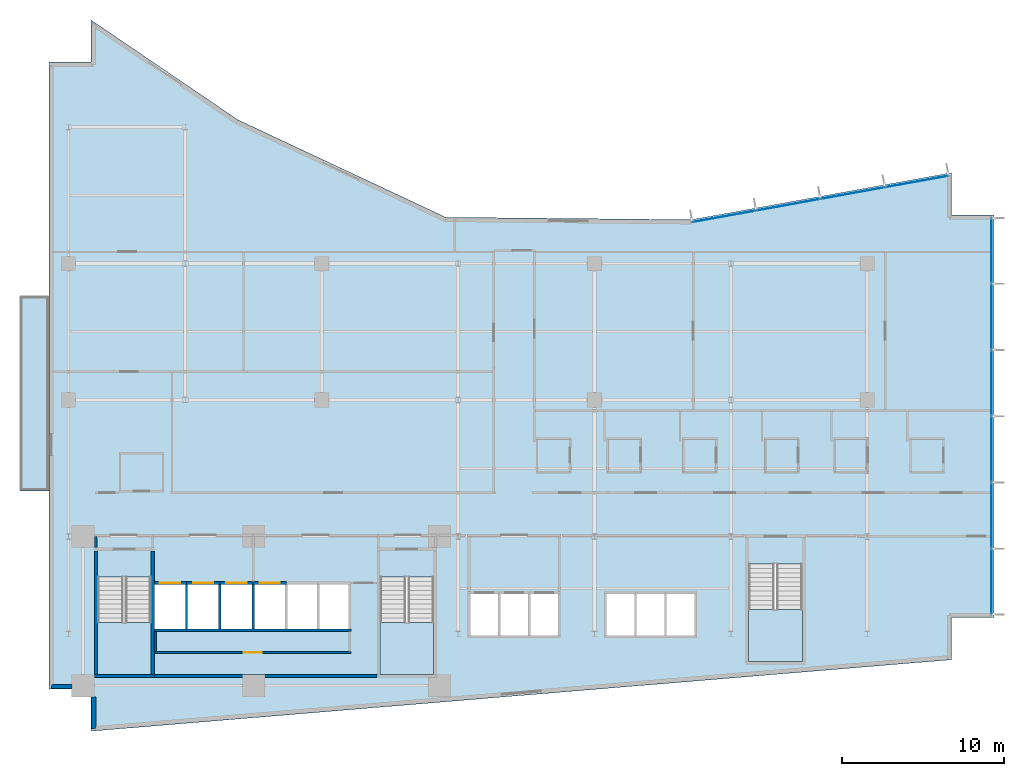
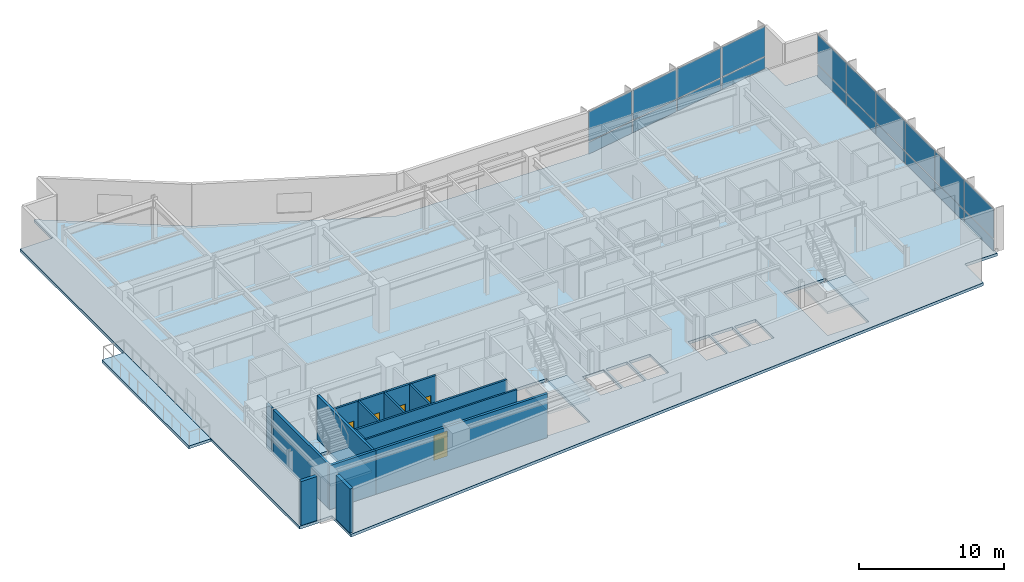
# One storey, part 11 of 19: 20 plates, 17 walls, 5 doors, 5 slabs, 5 openings, 5 elements without a shape of their own.
"""IFC4 building model written with IfcOpenShell, lengths in metres."""

from ifc_helpers import new_model, si_unit, direction, frame, frame_2d, origin, origin_2d, place, context, subcontext, project, spatial, polyline, rectangle, outline, extrude, material, layer, layer_set, type_object, element, fill, aggregate, save


model = new_model("IFC4")

# Units and contexts
model_context = context("Model", 3, precision=1e-05, world=origin(), true_north=direction((0.0, 1.0)))
body_context = subcontext(model_context, "Body", "Model", "MODEL_VIEW")
ifc_project = project(units=[si_unit("LENGTHUNIT", "METRE"), si_unit("AREAUNIT", "SQUARE_METRE"), si_unit("VOLUMEUNIT", "CUBIC_METRE"), si_unit("PLANEANGLEUNIT", "RADIAN"), si_unit("MASSUNIT", "GRAM", prefix="KILO")], contexts=[model_context])

# Site, building, storey
site_placement = place(None, origin())
site = spatial("IfcSite", under=ifc_project, at=site_placement, CompositionType="ELEMENT")
building_placement = place(site_placement, origin())
building = spatial("IfcBuilding", under=site, at=building_placement, Name="Varnakote Quay Hospital", CompositionType="ELEMENT")
storey_placement = place(building_placement, frame((0.0, 0.0, 85.699951171875)))
storey = spatial("IfcBuildingStorey", under=building, at=storey_placement, Name="L21", CompositionType="ELEMENT", Elevation=85.699951171875)

# Curtain wall, plates
ifc_material_1 = material(Name="Anodised aluminium 6063-T6 Bronze", Category="aluminium")
ifc_layer_1 = layer(ifc_material_1, 0.18994140625)
ifc_layer_set_1 = layer_set([ifc_layer_1], Name="Anodised aluminium 6063-T6 Bronze")
curtain_wall_type = type_object("IfcCurtainWallType", Name="CW-SYS-2", PredefinedType="NOTDEFINED", material=ifc_layer_set_1)
curtain_wall_1_placement = place(storey_placement, origin())
curtain_wall_1 = element("IfcCurtainWall", 1, at=curtain_wall_1_placement, inside=storey, type_object=curtain_wall_type, Name="L21 Unitised Bronze Curtain Wall 1", PredefinedType="NOTDEFINED")
ifc_material_2 = material(Name="Double-glazed acoustic laminated glass", Category="glass")
ifc_layer_2 = layer(ifc_material_2, 0.031982421875)
ifc_layer_set_2 = layer_set([ifc_layer_2], Name="Double-glazed acoustic laminated glass")
plate_type = type_object("IfcPlateType", Name="CW-PNL-GLZ-32", PredefinedType="CURTAIN_PANEL", material=ifc_layer_set_2)
plate_1_placement = place(storey_placement, frame((58.0400390625, 9.21875, 0.0751953125), z_axis=(0.0, 0.0, 1.0), x_axis=(0.0, 1.0, 0.0)))
plate_1 = element("IfcPlate", 2, at=plate_1_placement, type_object=plate_type, Name="-2-L21-1 panel 1.1", PredefinedType="CURTAIN_PANEL", context=body_context, shape_type="SweptSolid", body=[
    extrude(rectangle(XDim=3.967529296875, YDim=0.031982421875, at=origin_2d()), origin(), (0.0, 0.0, 1.0), 0.987548828125),
])
plate_2_placement = place(storey_placement, frame((58.0400390625, 9.21875, 1.137451171875), z_axis=(0.0, 0.0, 1.0), x_axis=(0.0, 1.0, 0.0)))
plate_2 = element("IfcPlate", 3, at=plate_2_placement, type_object=plate_type, Name="-2-L21-1 panel 1.2", PredefinedType="CURTAIN_PANEL", context=body_context, shape_type="SweptSolid", body=[
    extrude(rectangle(XDim=3.967529296875, YDim=0.031982421875, at=origin_2d()), origin(), (0.0, 0.0, 1.0), 2.49755859375),
])
plate_3_placement = place(storey_placement, frame((58.0400390625, 13.280029296875, 0.0751953125), z_axis=(0.0, 0.0, 1.0), x_axis=(0.0, 1.0, 0.0)))
plate_3 = element("IfcPlate", 4, at=plate_3_placement, type_object=plate_type, Name="-2-L21-1 panel 2.1", PredefinedType="CURTAIN_PANEL", context=body_context, shape_type="SweptSolid", body=[
    extrude(rectangle(XDim=4.0048828125, YDim=0.031982421875, at=origin_2d()), origin(), (0.0, 0.0, 1.0), 0.987548828125),
])
plate_4_placement = place(storey_placement, frame((58.0400390625, 13.280029296875, 1.137451171875), z_axis=(0.0, 0.0, 1.0), x_axis=(0.0, 1.0, 0.0)))
plate_4 = element("IfcPlate", 5, at=plate_4_placement, type_object=plate_type, Name="-2-L21-1 panel 2.2", PredefinedType="CURTAIN_PANEL", context=body_context, shape_type="SweptSolid", body=[
    extrude(rectangle(XDim=4.0048828125, YDim=0.031982421875, at=origin_2d()), origin(), (0.0, 0.0, 1.0), 2.49755859375),
])
plate_5_placement = place(storey_placement, frame((58.0400390625, 17.360107421875, 0.0751953125), z_axis=(0.0, 0.0, 1.0), x_axis=(0.0, 1.0, 0.0)))
plate_5 = element("IfcPlate", 6, at=plate_5_placement, type_object=plate_type, Name="-2-L21-1 panel 3.1", PredefinedType="CURTAIN_PANEL", context=body_context, shape_type="SweptSolid", body=[
    extrude(rectangle(XDim=4.0048828125, YDim=0.031982421875, at=origin_2d()), origin(), (0.0, 0.0, 1.0), 0.987548828125),
])
plate_6_placement = place(storey_placement, frame((58.0400390625, 17.360107421875, 1.137451171875), z_axis=(0.0, 0.0, 1.0), x_axis=(0.0, 1.0, 0.0)))
plate_6 = element("IfcPlate", 7, at=plate_6_placement, type_object=plate_type, Name="-2-L21-1 panel 3.2", PredefinedType="CURTAIN_PANEL", context=body_context, shape_type="SweptSolid", body=[
    extrude(rectangle(XDim=4.0048828125, YDim=0.031982421875, at=origin_2d()), origin(), (0.0, 0.0, 1.0), 2.49755859375),
])
plate_7_placement = place(storey_placement, frame((58.0400390625, 21.43994140625, 0.0751953125), z_axis=(0.0, 0.0, 1.0), x_axis=(0.0, 1.0, 0.0)))
plate_7 = element("IfcPlate", 8, at=plate_7_placement, type_object=plate_type, Name="-2-L21-1 panel 4.1", PredefinedType="CURTAIN_PANEL", context=body_context, shape_type="SweptSolid", body=[
    extrude(rectangle(XDim=4.0048828125, YDim=0.031982421875, at=origin_2d()), origin(), (0.0, 0.0, 1.0), 0.987548828125),
])
plate_8_placement = place(storey_placement, frame((58.0400390625, 21.43994140625, 1.137451171875), z_axis=(0.0, 0.0, 1.0), x_axis=(0.0, 1.0, 0.0)))
plate_8 = element("IfcPlate", 9, at=plate_8_placement, type_object=plate_type, Name="-2-L21-1 panel 4.2", PredefinedType="CURTAIN_PANEL", context=body_context, shape_type="SweptSolid", body=[
    extrude(rectangle(XDim=4.0048828125, YDim=0.031982421875, at=origin_2d()), origin(), (0.0, 0.0, 1.0), 2.49755859375),
])
plate_9_placement = place(storey_placement, frame((58.0400390625, 25.52001953125, 0.0751953125), z_axis=(0.0, 0.0, 1.0), x_axis=(0.0, 1.0, 0.0)))
plate_9 = element("IfcPlate", 10, at=plate_9_placement, type_object=plate_type, Name="-2-L21-1 panel 5.1", PredefinedType="CURTAIN_PANEL", context=body_context, shape_type="SweptSolid", body=[
    extrude(rectangle(XDim=4.0048828125, YDim=0.031982421875, at=origin_2d()), origin(), (0.0, 0.0, 1.0), 0.987548828125),
])
plate_10_placement = place(storey_placement, frame((58.0400390625, 25.52001953125, 1.137451171875), z_axis=(0.0, 0.0, 1.0), x_axis=(0.0, 1.0, 0.0)))
plate_10 = element("IfcPlate", 11, at=plate_10_placement, type_object=plate_type, Name="-2-L21-1 panel 5.2", PredefinedType="CURTAIN_PANEL", context=body_context, shape_type="SweptSolid", body=[
    extrude(rectangle(XDim=4.0048828125, YDim=0.031982421875, at=origin_2d()), origin(), (0.0, 0.0, 1.0), 2.49755859375),
])
plate_11_placement = place(storey_placement, frame((58.0400390625, 29.581298828125, 0.0751953125), z_axis=(0.0, 0.0, 1.0), x_axis=(0.0, 1.0, 0.0)))
plate_11 = element("IfcPlate", 12, at=plate_11_placement, type_object=plate_type, Name="-2-L21-1 panel 6.1", PredefinedType="CURTAIN_PANEL", context=body_context, shape_type="SweptSolid", body=[
    extrude(rectangle(XDim=3.967529296875, YDim=0.031982421875, at=origin_2d()), origin(), (0.0, 0.0, 1.0), 0.987548828125),
])
plate_12_placement = place(storey_placement, frame((58.0400390625, 29.581298828125, 1.137451171875), z_axis=(0.0, 0.0, 1.0), x_axis=(0.0, 1.0, 0.0)))
plate_12 = element("IfcPlate", 13, at=plate_12_placement, type_object=plate_type, Name="-2-L21-1 panel 6.2", PredefinedType="CURTAIN_PANEL", context=body_context, shape_type="SweptSolid", body=[
    extrude(rectangle(XDim=3.967529296875, YDim=0.031982421875, at=origin_2d()), origin(), (0.0, 0.0, 1.0), 2.49755859375),
])
aggregate(curtain_wall_1, [plate_1, plate_2, plate_3, plate_4, plate_5, plate_6, plate_7, plate_8, plate_9, plate_10, plate_11, plate_12])

curtain_wall_2_placement = place(storey_placement, origin())
curtain_wall_2 = element("IfcCurtainWall", 14, at=curtain_wall_2_placement, inside=storey, type_object=curtain_wall_type, Name="L21 Unitised Bronze Curtain Wall 2", PredefinedType="NOTDEFINED")
plate_13_placement = place(storey_placement, frame((53.440185546875, 33.84716796875, 0.0751953125), z_axis=(0.0, 0.0, 1.0), x_axis=(-0.984058295766, -0.177846199098, 0.0)))
plate_13 = element("IfcPlate", 15, at=plate_13_placement, type_object=plate_type, Name="-2-L21-2 panel 1.1", PredefinedType="CURTAIN_PANEL", context=body_context, shape_type="SweptSolid", body=[
    extrude(rectangle(XDim=3.914306640625, YDim=0.031982421875, at=origin_2d()), origin(), (0.0, 0.0, 1.0), 0.987548828125),
])
plate_14_placement = place(storey_placement, frame((53.440185546875, 33.84716796875, 1.137451171875), z_axis=(0.0, 0.0, 1.0), x_axis=(-0.984058295766, -0.177846199098, 0.0)))
plate_14 = element("IfcPlate", 16, at=plate_14_placement, type_object=plate_type, Name="-2-L21-2 panel 1.2", PredefinedType="CURTAIN_PANEL", context=body_context, shape_type="SweptSolid", body=[
    extrude(rectangle(XDim=3.914306640625, YDim=0.031982421875, at=origin_2d()), origin(), (0.0, 0.0, 1.0), 2.49755859375),
])
plate_15_placement = place(storey_placement, frame((49.49609375, 33.13427734375, 0.0751953125), z_axis=(0.0, 0.0, 1.0), x_axis=(-0.984058295766, -0.177846199098, 0.0)))
plate_15 = element("IfcPlate", 17, at=plate_15_placement, type_object=plate_type, Name="-2-L21-2 panel 2.1", PredefinedType="CURTAIN_PANEL", context=body_context, shape_type="SweptSolid", body=[
    extrude(rectangle(XDim=3.951904296875, YDim=0.031982421875, at=origin_2d()), origin(), (0.0, 0.0, 1.0), 0.987548828125),
])
plate_16_placement = place(storey_placement, frame((49.49609375, 33.13427734375, 1.137451171875), z_axis=(0.0, 0.0, 1.0), x_axis=(-0.984058295766, -0.177846199098, 0.0)))
plate_16 = element("IfcPlate", 18, at=plate_16_placement, type_object=plate_type, Name="-2-L21-2 panel 2.2", PredefinedType="CURTAIN_PANEL", context=body_context, shape_type="SweptSolid", body=[
    extrude(rectangle(XDim=3.951904296875, YDim=0.031982421875, at=origin_2d()), origin(), (0.0, 0.0, 1.0), 2.49755859375),
])
plate_17_placement = place(storey_placement, frame((45.533447265625, 32.418212890625, 0.0751953125), z_axis=(0.0, 0.0, 1.0), x_axis=(-0.984058295766, -0.177846199098, 0.0)))
plate_17 = element("IfcPlate", 19, at=plate_17_placement, type_object=plate_type, Name="-2-L21-2 panel 3.1", PredefinedType="CURTAIN_PANEL", context=body_context, shape_type="SweptSolid", body=[
    extrude(rectangle(XDim=3.951904296875, YDim=0.031982421875, at=origin_2d()), origin(), (0.0, 0.0, 1.0), 0.987548828125),
])
plate_18_placement = place(storey_placement, frame((45.533447265625, 32.418212890625, 1.137451171875), z_axis=(0.0, 0.0, 1.0), x_axis=(-0.984058295766, -0.177846199098, 0.0)))
plate_18 = element("IfcPlate", 20, at=plate_18_placement, type_object=plate_type, Name="-2-L21-2 panel 3.2", PredefinedType="CURTAIN_PANEL", context=body_context, shape_type="SweptSolid", body=[
    extrude(rectangle(XDim=3.951904296875, YDim=0.031982421875, at=origin_2d()), origin(), (0.0, 0.0, 1.0), 2.49755859375),
])
plate_19_placement = place(storey_placement, frame((41.58935546875, 31.705322265625, 0.0751953125), z_axis=(0.0, 0.0, 1.0), x_axis=(-0.984058295766, -0.177846199098, 0.0)))
plate_19 = element("IfcPlate", 21, at=plate_19_placement, type_object=plate_type, Name="-2-L21-2 panel 4.1", PredefinedType="CURTAIN_PANEL", context=body_context, shape_type="SweptSolid", body=[
    extrude(rectangle(XDim=3.914306640625, YDim=0.031982421875, at=origin_2d()), origin(), (0.0, 0.0, 1.0), 0.987548828125),
])
plate_20_placement = place(storey_placement, frame((41.58935546875, 31.705322265625, 1.137451171875), z_axis=(0.0, 0.0, 1.0), x_axis=(-0.984058295766, -0.177846199098, 0.0)))
plate_20 = element("IfcPlate", 22, at=plate_20_placement, type_object=plate_type, Name="-2-L21-2 panel 4.2", PredefinedType="CURTAIN_PANEL", context=body_context, shape_type="SweptSolid", body=[
    extrude(rectangle(XDim=3.914306640625, YDim=0.031982421875, at=origin_2d()), origin(), (0.0, 0.0, 1.0), 2.49755859375),
])
aggregate(curtain_wall_2, [plate_13, plate_14, plate_15, plate_16, plate_17, plate_18, plate_19, plate_20])

# Stair, slab
ifc_material_3 = material(Name="Concrete N40 (f'c 40 MPa)", Category="concrete")
stair_type = type_object("IfcStairType", Name="STR-CORE-1580", PredefinedType="HALF_TURN_STAIR", material=ifc_material_3)
stair_1_placement = place(storey_placement, origin())
stair_1 = element("IfcStair", 23, at=stair_1_placement, inside=storey, type_object=stair_type, Name="L21 Fire-Isolated Exit Stair ST-01", PredefinedType="HALF_TURN_STAIR")
ifc_material_4 = material(Name="Concrete N40 (f'c 40 MPa)", Category="concrete")
ifc_layer_3 = layer(ifc_material_4, 0.199951171875)
ifc_layer_set_3 = layer_set([ifc_layer_3], Name="Concrete N40 (f'c 40 MPa)")
slab_type_1 = type_object("IfcSlabType", Name="SLB-STAIR-LND-200", PredefinedType="LANDING", material=ifc_layer_set_3)
slab_1_placement = place(storey_placement, frame((0.0, 0.0, 1.775146484375)))
slab_1 = element("IfcSlab", 24, at=slab_1_placement, type_object=slab_type_1, Name="ST-01 landing 1", PredefinedType="LANDING", context=body_context, shape_type="SweptSolid", body=[
    extrude(outline(polyline([(3.0, 6.699951171875), (3.0, 3.5), (6.300048828125, 3.5), (6.300048828125, 6.699951171875), (3.0, 6.699951171875)])), origin(), (0.0, 0.0, 1.0), 0.199951171875),
])
aggregate(stair_1, [slab_1])

stair_2_placement = place(storey_placement, origin())
stair_2 = element("IfcStair", 25, at=stair_2_placement, inside=storey, type_object=stair_type, Name="L21 Fire-Isolated Exit Stair ST-02", PredefinedType="HALF_TURN_STAIR")
slab_2_placement = place(storey_placement, frame((0.0, 0.0, 1.775146484375)))
slab_2 = element("IfcSlab", 26, at=slab_2_placement, type_object=slab_type_1, Name="ST-02 landing 1", PredefinedType="LANDING", context=body_context, shape_type="SweptSolid", body=[
    extrude(outline(polyline([(20.39990234375, 6.699951171875), (20.39990234375, 3.5), (23.699951171875, 3.5), (23.699951171875, 6.699951171875), (20.39990234375, 6.699951171875)])), origin(), (0.0, 0.0, 1.0), 0.199951171875),
])
aggregate(stair_2, [slab_2])

stair_3_placement = place(storey_placement, origin())
stair_3 = element("IfcStair", 27, at=stair_3_placement, inside=storey, type_object=stair_type, Name="L21 Fire-Isolated Exit Stair ST-03", PredefinedType="HALF_TURN_STAIR")
slab_3_placement = place(storey_placement, frame((0.0, 0.0, 1.775146484375)))
slab_3 = element("IfcSlab", 28, at=slab_3_placement, type_object=slab_type_1, Name="ST-03 landing 1", PredefinedType="LANDING", context=body_context, shape_type="SweptSolid", body=[
    extrude(outline(polyline([(43.10009765625, 7.5), (43.10009765625, 4.300048828125), (46.39990234375, 4.300048828125), (46.39990234375, 7.5), (43.10009765625, 7.5)])), origin(), (0.0, 0.0, 1.0), 0.199951171875),
])
aggregate(stair_3, [slab_3])

# Slabs
ifc_material_5 = material(Name="Concrete N50 (f'c 50 MPa)", Category="concrete")
ifc_layer_4 = layer(ifc_material_5, 0.239990234375)
ifc_layer_set_4 = layer_set([ifc_layer_4], Name="Concrete N50 (f'c 50 MPa)")
slab_type_2 = type_object("IfcSlabType", Name="SLB-TERR-200", PredefinedType="FLOOR", material=ifc_layer_set_4)
slab_4_placement = place(storey_placement, frame((0.0, 0.0, -0.239990234375)))
element("IfcSlab", 29, at=slab_4_placement, inside=storey, type_object=slab_type_2, Name="L21 Waterfront Healing Terrace Slab", PredefinedType="FLOOR", context=body_context, shape_type="SweptSolid", body=[
    extrude(outline(polyline([(0.00390625, 14.800048828125), (0.00390625, 26.800048828125), (-1.780029296875, 26.800048828125), (-1.780029296875, 14.800048828125), (0.00390625, 14.800048828125)])), origin(), (0.0, 0.0, 1.0), 0.239990234375),
])
ifc_material_6 = material(Name="Concrete N50 (f'c 50 MPa)", Category="concrete")
ifc_layer_5 = layer(ifc_material_6, 0.239990234375)
ifc_layer_set_5 = layer_set([ifc_layer_5], Name="Concrete N50 (f'c 50 MPa)")
slab_type_3 = type_object("IfcSlabType", Name="SLB-WARD-200", PredefinedType="FLOOR", material=ifc_layer_set_5)
slab_5_placement = place(storey_placement, frame((0.0, 0.0, -0.239990234375)))
element("IfcSlab", 30, at=slab_5_placement, inside=storey, type_object=slab_type_3, Name="L21 Primary Floor Slab", PredefinedType="FLOOR", context=body_context, shape_type="SweptSolid", body=[
    extrude(outline(polyline([(0.0, 2.60009765625), (2.60009765625, 2.60009765625), (2.60009765625, 0.0), (55.60009765625, 4.39990234375), (55.60009765625, 7.0), (58.199951171875, 7.0), (58.199951171875, 31.800048828125), (55.60009765625, 31.800048828125), (55.60009765625, 34.39990234375), (39.575927734375, 31.50390625), (24.444091796875, 31.652099609375), (11.639892578125, 37.656005859375), (2.60009765625, 43.800048828125), (2.60009765625, 41.199951171875), (0.0, 41.199951171875), (0.0, 2.60009765625)]), holes=[polyline([(3.0, 3.5), (6.300048828125, 3.5), (6.300048828125, 9.49951171875), (3.0, 9.49951171875), (3.0, 3.5)]), polyline([(20.39990234375, 3.5), (23.699951171875, 3.5), (23.699951171875, 9.49951171875), (20.39990234375, 9.49951171875), (20.39990234375, 3.5)]), polyline([(43.10009765625, 4.300048828125), (46.39990234375, 4.300048828125), (46.39990234375, 10.29931640625), (43.10009765625, 10.29931640625), (43.10009765625, 4.300048828125)]), polyline([(6.5, 6.300048828125), (8.39990234375, 6.300048828125), (8.39990234375, 9.050048828125), (6.5, 9.050048828125), (6.5, 6.300048828125)]), polyline([(8.550048828125, 6.300048828125), (10.449951171875, 6.300048828125), (10.449951171875, 9.050048828125), (8.550048828125, 9.050048828125), (8.550048828125, 6.300048828125)]), polyline([(10.60009765625, 6.300048828125), (12.5, 6.300048828125), (12.5, 9.050048828125), (10.60009765625, 9.050048828125), (10.60009765625, 6.300048828125)]), polyline([(12.64990234375, 6.300048828125), (14.550048828125, 6.300048828125), (14.550048828125, 9.050048828125), (12.64990234375, 9.050048828125), (12.64990234375, 6.300048828125)]), polyline([(14.699951171875, 6.300048828125), (16.5, 6.300048828125), (16.5, 9.050048828125), (14.699951171875, 9.050048828125), (14.699951171875, 6.300048828125)]), polyline([(16.64990234375, 6.300048828125), (18.449951171875, 6.300048828125), (18.449951171875, 9.050048828125), (16.64990234375, 9.050048828125), (16.64990234375, 6.300048828125)]), polyline([(25.949951171875, 5.89990234375), (27.64990234375, 5.89990234375), (27.64990234375, 8.449951171875), (25.949951171875, 8.449951171875), (25.949951171875, 5.89990234375)]), polyline([(27.800048828125, 5.89990234375), (29.5, 5.89990234375), (29.5, 8.449951171875), (27.800048828125, 8.449951171875), (27.800048828125, 5.89990234375)]), polyline([(29.64990234375, 5.89990234375), (31.35009765625, 5.89990234375), (31.35009765625, 8.449951171875), (29.64990234375, 8.449951171875), (29.64990234375, 5.89990234375)]), polyline([(34.35009765625, 5.89990234375), (36.050048828125, 5.89990234375), (36.050048828125, 8.449951171875), (34.35009765625, 8.449951171875), (34.35009765625, 5.89990234375)]), polyline([(36.199951171875, 5.89990234375), (37.89990234375, 5.89990234375), (37.89990234375, 8.449951171875), (36.199951171875, 8.449951171875), (36.199951171875, 5.89990234375)]), polyline([(38.050048828125, 5.89990234375), (39.75, 5.89990234375), (39.75, 8.449951171875), (38.050048828125, 8.449951171875), (38.050048828125, 5.89990234375)])]), origin(), (0.0, 0.0, 1.0), 0.239990234375),
])

# Walls
ifc_material_7 = material(Name="Fire-rated acoustic gypsum stud wall", Category="gypsum")
ifc_layer_6 = layer(ifc_material_7, 0.159912109375)
ifc_layer_set_6 = layer_set([ifc_layer_6], Name="Fire-rated acoustic gypsum stud wall")
wall_type_1 = type_object("IfcWallType", Name="WL-COMP-160", PredefinedType="PARTITIONING", material=ifc_layer_set_6)
wall_1_placement = place(storey_placement, frame((2.8798828125, 11.300048828125, 0.0), z_axis=(0.0, 0.0, 1.0), x_axis=(0.0, 1.0, 0.0)))
element("IfcWall", 31, at=wall_1_placement, inside=storey, type_object=wall_type_1, Name="L21 West Stair Vestibule West Wall", PredefinedType="PARTITIONING", context=body_context, shape_type="SweptSolid", body=[
    extrude(rectangle(XDim=0.699951171875, YDim=0.159912109375, at=frame_2d((0.35009765625, 0.0))), origin(), (0.0, 0.0, 1.0), 3.7099609375),
])
ifc_material_8 = material(Name="Concrete N80 (f'c 80 MPa)", Category="concrete")
ifc_layer_7 = layer(ifc_material_8, 0.199951171875)
ifc_layer_set_7 = layer_set([ifc_layer_7], Name="Concrete N80 (f'c 80 MPa)")
wall_type_2 = type_object("IfcWallType", Name="WL-CORE-N80-200", PredefinedType="SHEAR", material=ifc_layer_set_7)
wall_2_placement = place(storey_placement, frame((6.5, 3.39990234375, 0.0), z_axis=(0.0, 0.0, 1.0), x_axis=(1.0, 0.0, 0.0)))
element("IfcWall", 32, at=wall_2_placement, inside=storey, type_object=wall_type_2, Name="L21 Rear Core South Shear Wall", PredefinedType="SHEAR", context=body_context, shape_type="SweptSolid", body=[
    extrude(rectangle(XDim=13.699951171875, YDim=0.199951171875, at=frame_2d((6.85009765625, 0.0))), origin(), (0.0, 0.0, 1.0), 3.7099609375),
])
ifc_material_9 = material(Name="Precast concrete N50 (f'c 50 MPa)", Category="concrete")
ifc_layer_8 = layer(ifc_material_9, 0.260009765625)
ifc_layer_set_8 = layer_set([ifc_layer_8], Name="Precast concrete N50 (f'c 50 MPa)")
wall_type_3 = type_object("IfcWallType", Name="WL-EXT-BRICK-260", PredefinedType="STANDARD", material=ifc_layer_set_8)
wall_3_placement = place(storey_placement, frame((2.760009765625, 2.114990234375, 0.0), z_axis=(0.0, 0.0, 1.0), x_axis=(0.0, -1.0, 0.0)))
element("IfcWall", 33, at=wall_3_placement, inside=storey, type_object=wall_type_3, Name="L21 Brick-Faced Precast Exterior Wall", PredefinedType="STANDARD", context=body_context, shape_type="SweptSolid", body=[
    extrude(rectangle(XDim=1.941162109375, YDim=0.260009765625, at=frame_2d((0.970703125, 0.0))), origin(), (0.0, 0.0, 1.0), 3.7099609375),
])
wall_4_placement = place(storey_placement, frame((0.159912109375, 2.760009765625, 0.0), z_axis=(0.0, 0.0, 1.0), x_axis=(1.0, 0.0, 0.0)))
element("IfcWall", 34, at=wall_4_placement, inside=storey, type_object=wall_type_3, Name="L21 Brick-Faced Precast Exterior Wall", PredefinedType="STANDARD", context=body_context, shape_type="SweptSolid", body=[
    extrude(rectangle(XDim=1.255126953125, YDim=0.260009765625, at=frame_2d((0.62744140625, 0.0))), origin(), (0.0, 0.0, 1.0), 3.7099609375),
])
ifc_material_10 = material(Name="Concrete N50 (f'c 50 MPa)", Category="concrete")
ifc_layer_9 = layer(ifc_material_10, 0.14990234375)
ifc_layer_set_9 = layer_set([ifc_layer_9], Name="Concrete N50 (f'c 50 MPa)")
wall_type_4 = type_object("IfcWallType", Name="WL-SHAFT-N50-150", PredefinedType="SHEAR", material=ifc_layer_set_9)
for number, where, z_axis, x_axis, name in (
    (35, (8.47509765625, 6.300048828125, 0.0), (0.0, 0.0, 1.0), (0.0, 1.0, 0.0), "L21 LF-FF1 Hoistway Divider Wall"),
    (36, (10.52490234375, 6.300048828125, 0.0), (0.0, 0.0, 1.0), (0.0, 1.0, 0.0), "L21 LF-FF2 Hoistway Divider Wall"),
    (37, (12.574951171875, 6.300048828125, 0.0), (0.0, 0.0, 1.0), (0.0, 1.0, 0.0), "L21 LF-SV1 Hoistway Divider Wall"),
):
    element("IfcWall", number, at=place(storey_placement, frame(where, z_axis=z_axis, x_axis=x_axis)), inside=storey, type_object=wall_type_4, Name=name, PredefinedType="SHEAR", context=body_context, shape_type="SweptSolid", body=[
        extrude(rectangle(XDim=2.75, YDim=0.14990234375, at=frame_2d((1.375, 0.0))), origin(), (0.0, 0.0, 1.0), 3.7099609375),
    ])
ifc_material_11 = material(Name="Concrete N50 (f'c 50 MPa)", Category="concrete")
ifc_layer_10 = layer(ifc_material_11, 0.159912109375)
ifc_layer_set_10 = layer_set([ifc_layer_10], Name="Concrete N50 (f'c 50 MPa)")
wall_type_5 = type_object("IfcWallType", Name="WL-SHAFT-N50-160", PredefinedType="SHEAR", material=ifc_layer_set_10)
wall_5_placement = place(storey_placement, frame((6.5, 6.219970703125, 0.0), z_axis=(0.0, 0.0, 1.0), x_axis=(1.0, 0.0, 0.0)))
element("IfcWall", 38, at=wall_5_placement, inside=storey, type_object=wall_type_5, Name="L21 REAR Lift Bank Back Shear Wall", PredefinedType="SHEAR", context=body_context, shape_type="SweptSolid", body=[
    extrude(rectangle(XDim=12.110107421875, YDim=0.159912109375, at=frame_2d((6.05517578125, 0.0))), origin(), (0.0, 0.0, 1.0), 3.7099609375),
])

# Wall, opening, door
wall_6_placement = place(storey_placement, frame((6.5, 9.1298828125, 0.0), z_axis=(0.0, 0.0, 1.0), x_axis=(1.0, 0.0, 0.0)))
wall_6 = element("IfcWall", 39, at=wall_6_placement, inside=storey, type_object=wall_type_5, Name="L21 LF-FF1 Hoistway Front Wall", PredefinedType="SHEAR", context=body_context, shape_type="SweptSolid", body=[
    extrude(rectangle(XDim=1.97509765625, YDim=0.159912109375, at=frame_2d((0.987548828125, 0.0))), origin(), (0.0, 0.0, 1.0), 3.7099609375),
])
opening_1_placement = place(wall_6_placement, frame((0.324951171875, 0.0, 0.0)))
opening_1 = element("IfcOpeningElement", 40, at=opening_1_placement, cuts=wall_6, Name="Opening LD-FF1-L21", PredefinedType="OPENING", context=body_context, shape_type="SweptSolid", body=[
    extrude(rectangle(XDim=1.25, YDim=2.14990234375, at=frame_2d((0.625, 1.074951171875))), frame((0.0, 0.08984375, 0.0), z_axis=(0.0, -1.0, 0.0), x_axis=(1.0, 0.0, 0.0)), (0.0, 0.0, 1.0), 0.179931640625),
])
ifc_material_12 = material(Name="Stainless steel lift landing sliding door", Category="steel")
door_type_1 = type_object("IfcDoorType", Name="DR-LIFT-LD-1250x2150", OperationType="NOTDEFINED", PredefinedType="DOOR", material=ifc_material_12)
door_1_placement = place(opening_1_placement, origin())
door_1 = element("IfcDoor", 41, at=door_1_placement, inside=storey, type_object=door_type_1, Name="L21 LF-FF1 Lift Landing Sliding Door", OperationType="SLIDING_TO_LEFT", OverallHeight=2.14990234375, OverallWidth=1.25, PredefinedType="DOOR", context=body_context, shape_type="SweptSolid", body=[
    extrude(rectangle(XDim=1.25, YDim=2.14990234375, at=frame_2d((0.625, 1.074951171875))), frame((0.0, 0.02490234375, 0.0), z_axis=(0.0, -1.0, 0.0), x_axis=(1.0, 0.0, 0.0)), (0.0, 0.0, 1.0), 0.050048828125),
])
fill(opening_1, door_1)

wall_7_placement = place(storey_placement, frame((8.47509765625, 9.1298828125, 0.0), z_axis=(0.0, 0.0, 1.0), x_axis=(1.0, 0.0, 0.0)))
wall_7 = element("IfcWall", 42, at=wall_7_placement, inside=storey, type_object=wall_type_5, Name="L21 LF-FF2 Hoistway Front Wall", PredefinedType="SHEAR", context=body_context, shape_type="SweptSolid", body=[
    extrude(rectangle(XDim=2.0498046875, YDim=0.159912109375, at=frame_2d((1.02490234375, 0.0))), origin(), (0.0, 0.0, 1.0), 3.7099609375),
])
opening_2_placement = place(wall_7_placement, frame((0.39990234375, 0.0, 0.0)))
opening_2 = element("IfcOpeningElement", 43, at=opening_2_placement, cuts=wall_7, Name="Opening LD-FF2-L21", PredefinedType="OPENING", context=body_context, shape_type="SweptSolid", body=[
    extrude(rectangle(XDim=1.25, YDim=2.14990234375, at=frame_2d((0.625, 1.074951171875))), frame((0.0, 0.08984375, 0.0), z_axis=(0.0, -1.0, 0.0), x_axis=(1.0, 0.0, 0.0)), (0.0, 0.0, 1.0), 0.179931640625),
])
door_2_placement = place(opening_2_placement, origin())
door_2 = element("IfcDoor", 44, at=door_2_placement, inside=storey, type_object=door_type_1, Name="L21 LF-FF2 Lift Landing Sliding Door", OperationType="SLIDING_TO_LEFT", OverallHeight=2.14990234375, OverallWidth=1.25, PredefinedType="DOOR", context=body_context, shape_type="SweptSolid", body=[
    extrude(rectangle(XDim=1.25, YDim=2.14990234375, at=frame_2d((0.625, 1.074951171875))), frame((0.0, 0.02490234375, 0.0), z_axis=(0.0, -1.0, 0.0), x_axis=(1.0, 0.0, 0.0)), (0.0, 0.0, 1.0), 0.050048828125),
])
fill(opening_2, door_2)

wall_8_placement = place(storey_placement, frame((10.52490234375, 9.1298828125, 0.0), z_axis=(0.0, 0.0, 1.0), x_axis=(1.0, 0.0, 0.0)))
wall_8 = element("IfcWall", 45, at=wall_8_placement, inside=storey, type_object=wall_type_5, Name="L21 LF-SV1 Hoistway Front Wall", PredefinedType="SHEAR", context=body_context, shape_type="SweptSolid", body=[
    extrude(rectangle(XDim=2.050048828125, YDim=0.159912109375, at=frame_2d((1.02490234375, 0.0))), origin(), (0.0, 0.0, 1.0), 3.7099609375),
])
opening_3_placement = place(wall_8_placement, frame((0.39990234375, 0.0, 0.0)))
opening_3 = element("IfcOpeningElement", 46, at=opening_3_placement, cuts=wall_8, Name="Opening LD-SV1-L21", PredefinedType="OPENING", context=body_context, shape_type="SweptSolid", body=[
    extrude(rectangle(XDim=1.25, YDim=2.14990234375, at=frame_2d((0.625, 1.074951171875))), frame((0.0, 0.08984375, 0.0), z_axis=(0.0, -1.0, 0.0), x_axis=(1.0, 0.0, 0.0)), (0.0, 0.0, 1.0), 0.179931640625),
])
door_3_placement = place(opening_3_placement, origin())
door_3 = element("IfcDoor", 47, at=door_3_placement, inside=storey, type_object=door_type_1, Name="L21 LF-SV1 Lift Landing Sliding Door", OperationType="SLIDING_TO_LEFT", OverallHeight=2.14990234375, OverallWidth=1.25, PredefinedType="DOOR", context=body_context, shape_type="SweptSolid", body=[
    extrude(rectangle(XDim=1.25, YDim=2.14990234375, at=frame_2d((0.625, 1.074951171875))), frame((0.0, 0.02490234375, 0.0), z_axis=(0.0, -1.0, 0.0), x_axis=(1.0, 0.0, 0.0)), (0.0, 0.0, 1.0), 0.050048828125),
])
fill(opening_3, door_3)

wall_9_placement = place(storey_placement, frame((12.574951171875, 9.1298828125, 0.0), z_axis=(0.0, 0.0, 1.0), x_axis=(1.0, 0.0, 0.0)))
wall_9 = element("IfcWall", 48, at=wall_9_placement, inside=storey, type_object=wall_type_5, Name="L21 LF-SV2 Hoistway Front Wall", PredefinedType="SHEAR", context=body_context, shape_type="SweptSolid", body=[
    extrude(rectangle(XDim=2.050048828125, YDim=0.159912109375, at=frame_2d((1.02490234375, 0.0))), origin(), (0.0, 0.0, 1.0), 3.7099609375),
])
opening_4_placement = place(wall_9_placement, frame((0.39990234375, 0.0, 0.0)))
opening_4 = element("IfcOpeningElement", 49, at=opening_4_placement, cuts=wall_9, Name="Opening LD-SV2-L21", PredefinedType="OPENING", context=body_context, shape_type="SweptSolid", body=[
    extrude(rectangle(XDim=1.25, YDim=2.14990234375, at=frame_2d((0.625, 1.074951171875))), frame((0.0, 0.08984375, 0.0), z_axis=(0.0, -1.0, 0.0), x_axis=(1.0, 0.0, 0.0)), (0.0, 0.0, 1.0), 0.179931640625),
])
door_4_placement = place(opening_4_placement, origin())
door_4 = element("IfcDoor", 50, at=door_4_placement, inside=storey, type_object=door_type_1, Name="L21 LF-SV2 Lift Landing Sliding Door", OperationType="SLIDING_TO_LEFT", OverallHeight=2.14990234375, OverallWidth=1.25, PredefinedType="DOOR", context=body_context, shape_type="SweptSolid", body=[
    extrude(rectangle(XDim=1.25, YDim=2.14990234375, at=frame_2d((0.625, 1.074951171875))), frame((0.0, 0.02490234375, 0.0), z_axis=(0.0, -1.0, 0.0), x_axis=(1.0, 0.0, 0.0)), (0.0, 0.0, 1.0), 0.050048828125),
])
fill(opening_4, door_4)

# Walls
ifc_material_13 = material(Name="Concrete N50 (f'c 50 MPa)", Category="concrete")
ifc_layer_11 = layer(ifc_material_13, 0.199951171875)
ifc_layer_set_11 = layer_set([ifc_layer_11], Name="Concrete N50 (f'c 50 MPa)")
wall_type_6 = type_object("IfcWallType", Name="WL-SHAFT-N50-200", PredefinedType="SHEAR", material=ifc_layer_set_11)
wall_10_placement = place(storey_placement, frame((2.800048828125, 3.39990234375, 0.0), z_axis=(0.0, 0.0, 1.0), x_axis=(1.0, 0.0, 0.0)))
element("IfcWall", 51, at=wall_10_placement, inside=storey, type_object=wall_type_6, Name="L21 Stair ST1 South Shaft Wall", PredefinedType="SHEAR", context=body_context, shape_type="SweptSolid", body=[
    extrude(rectangle(XDim=3.699951171875, YDim=0.199951171875, at=frame_2d((1.85009765625, 0.0))), origin(), (0.0, 0.0, 1.0), 3.7099609375),
])
for number, where, z_axis, x_axis, name in (
    (52, (2.89990234375, 3.5, 0.0), (0.0, 0.0, 1.0), (0.0, 1.0, 0.0), "L21 Stair ST1 West Shaft Wall"),
    (53, (6.39990234375, 3.5, 0.0), (0.0, 0.0, 1.0), (0.0, 1.0, 0.0), "L21 Stair ST1 East Shaft Wall"),
):
    element("IfcWall", number, at=place(storey_placement, frame(where, z_axis=z_axis, x_axis=x_axis)), inside=storey, type_object=wall_type_6, Name=name, PredefinedType="SHEAR", context=body_context, shape_type="SweptSolid", body=[
        extrude(rectangle(XDim=7.60009765625, YDim=0.199951171875, at=frame_2d((3.800048828125, 0.0))), origin(), (0.0, 0.0, 1.0), 3.7099609375),
    ])
ifc_material_14 = material(Name="Smoke-proof clinical partition", Category="gypsum")
ifc_layer_12 = layer(ifc_material_14, 0.1201171875)
ifc_layer_set_12 = layer_set([ifc_layer_12], Name="Smoke-proof clinical partition")
wall_type_7 = type_object("IfcWallType", Name="WL-SMOKE-120", PredefinedType="PARTITIONING", material=ifc_layer_set_12)
wall_11_placement = place(storey_placement, frame((6.56005859375, 4.919921875, 0.0), z_axis=(0.0, 0.0, 1.0), x_axis=(0.0, 1.0, 0.0)))
element("IfcWall", 54, at=wall_11_placement, inside=storey, type_object=wall_type_7, Name="L21 Core Service Strip West Wall", PredefinedType="PARTITIONING", context=body_context, shape_type="SweptSolid", body=[
    extrude(rectangle(XDim=1.219970703125, YDim=0.1201171875, at=frame_2d((0.60986328125, 0.0))), origin(), (0.0, 0.0, 1.0), 3.7099609375),
])

# Wall, opening, door
ifc_material_15 = material(Name="Fire-rated clinical gypsum partition", Category="gypsum")
ifc_layer_13 = layer(ifc_material_15, 0.139892578125)
ifc_layer_set_13 = layer_set([ifc_layer_13], Name="Fire-rated clinical gypsum partition")
wall_type_8 = type_object("IfcWallType", Name="WL-WARD-140", PredefinedType="PARTITIONING", material=ifc_layer_set_13)
wall_12_placement = place(storey_placement, frame((6.5, 4.85009765625, 0.0), z_axis=(0.0, 0.0, 1.0), x_axis=(1.0, 0.0, 0.0)))
wall_12 = element("IfcWall", 55, at=wall_12_placement, inside=storey, type_object=wall_type_8, Name="L21 Core Clean Linen Store South Wall", PredefinedType="PARTITIONING", context=body_context, shape_type="SweptSolid", body=[
    extrude(rectangle(XDim=12.10009765625, YDim=0.139892578125, at=frame_2d((6.050048828125, 0.0))), origin(), (0.0, 0.0, 1.0), 3.7099609375),
])
opening_5_placement = place(wall_12_placement, frame((5.5, 0.0, 0.0)))
opening_5 = element("IfcOpeningElement", 56, at=opening_5_placement, cuts=wall_12, Name="Opening D-L21-CR01", PredefinedType="OPENING", context=body_context, shape_type="SweptSolid", body=[
    extrude(rectangle(XDim=1.10009765625, YDim=2.10009765625, at=frame_2d((0.550048828125, 1.050048828125))), frame((0.0, 0.079833984375, 0.0), z_axis=(0.0, -1.0, 0.0), x_axis=(1.0, 0.0, 0.0)), (0.0, 0.0, 1.0), 0.159912109375),
])
ifc_material_16 = material(Name="Acoustic timber clinical consult door", Category="wood")
door_type_2 = type_object("IfcDoorType", Name="DR-CLIN-FD30S-1100x2100", OperationType="NOTDEFINED", PredefinedType="DOOR", material=ifc_material_16)
door_5_placement = place(opening_5_placement, origin())
door_5 = element("IfcDoor", 57, at=door_5_placement, inside=storey, type_object=door_type_2, Name="L21 Core Clean Linen Store Door", OperationType="SINGLE_SWING_RIGHT", OverallHeight=2.10009765625, OverallWidth=1.10009765625, PredefinedType="DOOR", context=body_context, shape_type="SweptSolid", body=[
    extrude(rectangle(XDim=1.10009765625, YDim=2.10009765625, at=frame_2d((0.550048828125, 1.050048828125))), frame((0.0, 0.02490234375, 0.0), z_axis=(0.0, -1.0, 0.0), x_axis=(1.0, 0.0, 0.0)), (0.0, 0.0, 1.0), 0.050048828125),
])
fill(opening_5, door_5)

save(model, "model.ifc")
